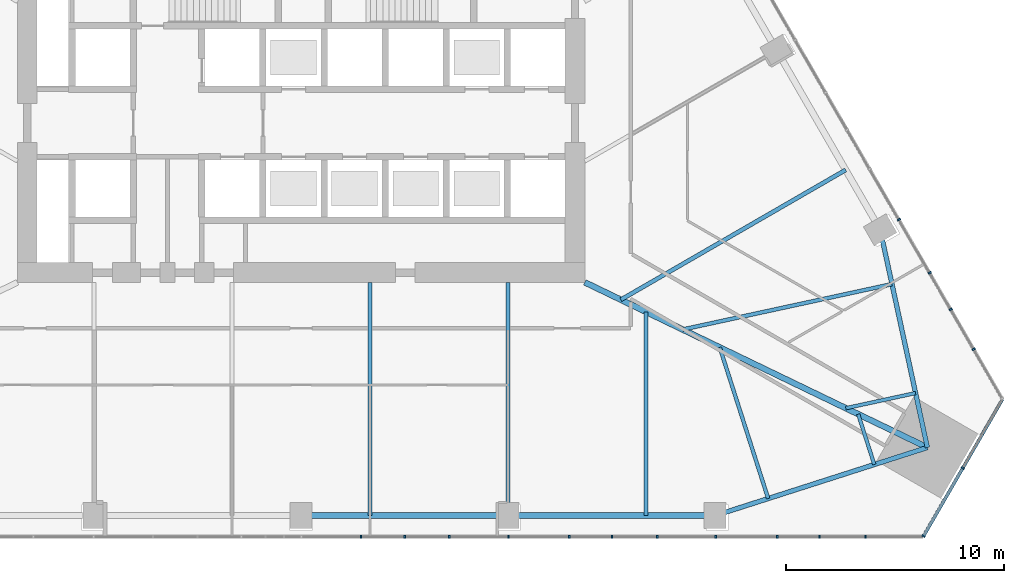
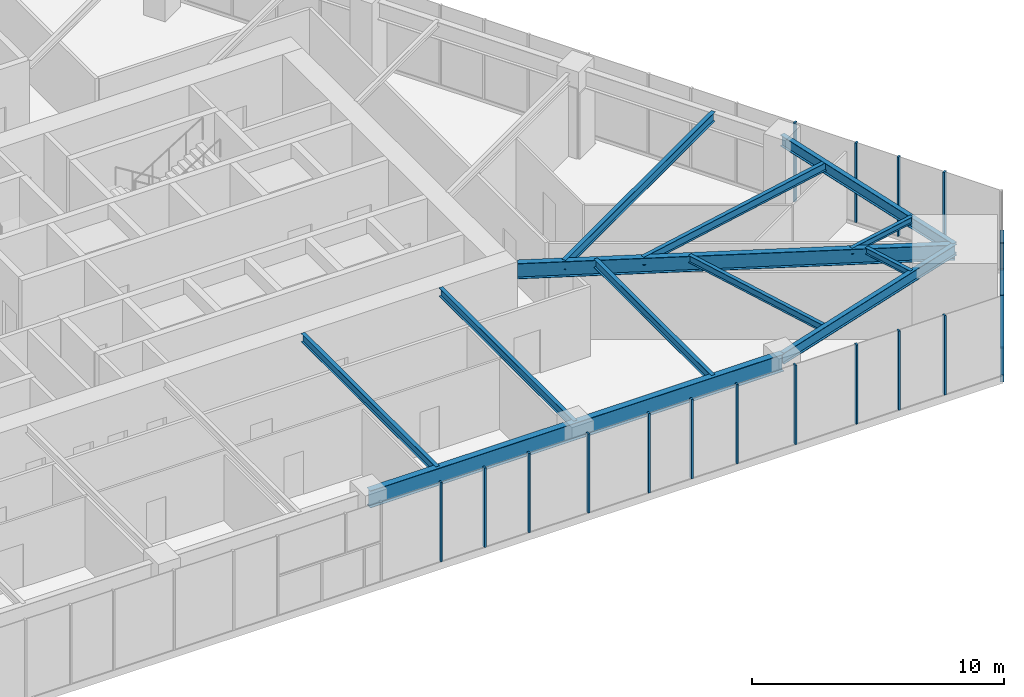
# One storey, part 7 of 21: 22 members, 12 beams, 3 elements without a shape of their own.
"""IFC4 building model written with IfcOpenShell, lengths in metres."""

from ifc_helpers import new_model, si_unit, direction, frame, origin, origin_2d, place, context, subcontext, project, spatial, rectangle, i_section, extrude, material, layer, layer_set, material_profile, profile_set, type_object, element, aggregate, save


model = new_model("IFC4")

# Units and contexts
model_context = context("Model", 3, precision=1e-05, world=origin(), true_north=direction((0.0, 1.0)))
body_context = subcontext(model_context, "Body", "Model", "MODEL_VIEW")
ifc_project = project(units=[si_unit("LENGTHUNIT", "METRE"), si_unit("AREAUNIT", "SQUARE_METRE"), si_unit("VOLUMEUNIT", "CUBIC_METRE"), si_unit("PLANEANGLEUNIT", "RADIAN"), si_unit("MASSUNIT", "GRAM", prefix="KILO")], contexts=[model_context])

# Site, building, storey
site_placement = place(None, origin())
site = spatial("IfcSite", under=ifc_project, at=site_placement, CompositionType="ELEMENT")
building_placement = place(site_placement, origin())
building = spatial("IfcBuilding", under=site, at=building_placement, Name="Firuza Gate Tower and Library", CompositionType="ELEMENT")
storey_placement = place(building_placement, frame((0.0, 0.0, 69.39990234375)))
storey = spatial("IfcBuildingStorey", under=building, at=storey_placement, Name="L15", CompositionType="ELEMENT", Elevation=69.39990234375)

# Curtain wall, members
ifc_material_1 = material(Name="Aluminium 6063-T6", Category="aluminium")
ifc_layer_1 = layer(ifc_material_1, 0.14990234375)
ifc_layer_set_1 = layer_set([ifc_layer_1], Name="Unitised curtain wall, offices")
curtain_wall_type_1 = type_object("IfcCurtainWallType", Name="Unitised curtain wall, offices", PredefinedType="NOTDEFINED", material=ifc_layer_set_1)
placement = place(storey_placement, origin())
curtain_wall_1 = element("IfcCurtainWall", 1, at=placement, inside=storey, type_object=curtain_wall_type_1, Name="CW1 L15 S face", PredefinedType="NOTDEFINED")
ifc_material_2 = material(Name="Aluminium 6063-T6", Category="aluminium")
ifc_material_profile_1 = material_profile(ifc_material_2, rectangle(XDim=0.14990234375, YDim=0.080078125, at=origin_2d()))
ifc_profile_set_1 = profile_set([ifc_material_profile_1], Name="Aluminium 6063-T6")
member_type_1 = type_object("IfcMemberType", Name="Curtain wall mullion 80x150", PredefinedType="MULLION", material=ifc_profile_set_1)
member_1_placement = place(storey_placement, frame((79.749755859375, 54.339111328125, 0.150146484375), z_axis=(0.0, 0.0, 1.0), x_axis=(0.0, 1.0, 0.0)))
member_1 = element("IfcMember", 2, at=member_1_placement, type_object=member_type_1, Name="Mullion", PredefinedType="MULLION", context=body_context, shape_type="SweptSolid", body=[
    extrude(rectangle(XDim=0.14990234375, YDim=0.080078125, at=origin_2d()), origin(), (0.0, 0.0, 1.0), 3.849853515625),
])
member_2_placement = place(storey_placement, frame((84.499755859375, 54.339111328125, 0.150146484375), z_axis=(0.0, 0.0, 1.0), x_axis=(0.0, 1.0, 0.0)))
member_2 = element("IfcMember", 3, at=member_2_placement, type_object=member_type_1, Name="Mullion", PredefinedType="MULLION", context=body_context, shape_type="SweptSolid", body=[
    extrude(rectangle(XDim=0.14990234375, YDim=0.080078125, at=origin_2d()), origin(), (0.0, 0.0, 1.0), 3.849853515625),
])
member_3_placement = place(storey_placement, frame((89.24951171875, 54.339111328125, 0.150146484375), z_axis=(0.0, 0.0, 1.0), x_axis=(0.0, 1.0, 0.0)))
member_3 = element("IfcMember", 4, at=member_3_placement, type_object=member_type_1, Name="Mullion", PredefinedType="MULLION", context=body_context, shape_type="SweptSolid", body=[
    extrude(rectangle(XDim=0.14990234375, YDim=0.080078125, at=origin_2d()), origin(), (0.0, 0.0, 1.0), 3.849853515625),
])
member_4_placement = place(storey_placement, frame((93.99951171875, 54.339111328125, 0.150146484375), z_axis=(0.0, 0.0, 1.0), x_axis=(0.0, 1.0, 0.0)))
member_4 = element("IfcMember", 5, at=member_4_placement, type_object=member_type_1, Name="Mullion", PredefinedType="MULLION", context=body_context, shape_type="SweptSolid", body=[
    extrude(rectangle(XDim=0.14990234375, YDim=0.080078125, at=origin_2d()), origin(), (0.0, 0.0, 1.0), 3.849853515625),
])
member_5_placement = place(storey_placement, frame((98.749267578125, 54.339111328125, 0.150146484375), z_axis=(0.0, 0.0, 1.0), x_axis=(0.0, 1.0, 0.0)))
member_5 = element("IfcMember", 6, at=member_5_placement, type_object=member_type_1, Name="Mullion", PredefinedType="MULLION", context=body_context, shape_type="SweptSolid", body=[
    extrude(rectangle(XDim=0.14990234375, YDim=0.080078125, at=origin_2d()), origin(), (0.0, 0.0, 1.0), 3.849853515625),
])
member_6_placement = place(storey_placement, frame((77.745849609375, 54.339111328125, 0.150146484375), z_axis=(0.0, 0.0, 1.0), x_axis=(0.0, 1.0, 0.0)))
member_6 = element("IfcMember", 7, at=member_6_placement, type_object=member_type_1, Name="Mullion", PredefinedType="MULLION", context=body_context, shape_type="SweptSolid", body=[
    extrude(rectangle(XDim=0.14990234375, YDim=0.080078125, at=origin_2d()), origin(), (0.0, 0.0, 1.0), 3.849853515625),
])
member_7_placement = place(storey_placement, frame((81.78857421875, 54.339111328125, 0.150146484375), z_axis=(0.0, 0.0, 1.0), x_axis=(0.0, 1.0, 0.0)))
member_7 = element("IfcMember", 8, at=member_7_placement, type_object=member_type_1, Name="Mullion", PredefinedType="MULLION", context=body_context, shape_type="SweptSolid", body=[
    extrude(rectangle(XDim=0.14990234375, YDim=0.080078125, at=origin_2d()), origin(), (0.0, 0.0, 1.0), 3.849853515625),
])
member_8_placement = place(storey_placement, frame((87.2802734375, 54.339111328125, 0.150146484375), z_axis=(0.0, 0.0, 1.0), x_axis=(0.0, 1.0, 0.0)))
member_8 = element("IfcMember", 9, at=member_8_placement, type_object=member_type_1, Name="Mullion", PredefinedType="MULLION", context=body_context, shape_type="SweptSolid", body=[
    extrude(rectangle(XDim=0.14990234375, YDim=0.080078125, at=origin_2d()), origin(), (0.0, 0.0, 1.0), 3.849853515625),
])
member_9_placement = place(storey_placement, frame((91.322998046875, 54.339111328125, 0.150146484375), z_axis=(0.0, 0.0, 1.0), x_axis=(0.0, 1.0, 0.0)))
member_9 = element("IfcMember", 10, at=member_9_placement, type_object=member_type_1, Name="Mullion", PredefinedType="MULLION", context=body_context, shape_type="SweptSolid", body=[
    extrude(rectangle(XDim=0.14990234375, YDim=0.080078125, at=origin_2d()), origin(), (0.0, 0.0, 1.0), 3.849853515625),
])
member_10_placement = place(storey_placement, frame((96.81494140625, 54.339111328125, 0.150146484375), z_axis=(0.0, 0.0, 1.0), x_axis=(0.0, 1.0, 0.0)))
member_10 = element("IfcMember", 11, at=member_10_placement, type_object=member_type_1, Name="Mullion", PredefinedType="MULLION", context=body_context, shape_type="SweptSolid", body=[
    extrude(rectangle(XDim=0.14990234375, YDim=0.080078125, at=origin_2d()), origin(), (0.0, 0.0, 1.0), 3.849853515625),
])
member_11_placement = place(storey_placement, frame((100.857421875, 54.339111328125, 0.150146484375), z_axis=(0.0, 0.0, 1.0), x_axis=(0.0, 1.0, 0.0)))
member_11 = element("IfcMember", 12, at=member_11_placement, type_object=member_type_1, Name="Mullion", PredefinedType="MULLION", context=body_context, shape_type="SweptSolid", body=[
    extrude(rectangle(XDim=0.14990234375, YDim=0.080078125, at=origin_2d()), origin(), (0.0, 0.0, 1.0), 3.849853515625),
])
aggregate(curtain_wall_1, [member_1, member_2, member_3, member_4, member_5, member_6, member_7, member_8, member_9, member_10, member_11])

ifc_material_3 = material(Name="Aluminium 6063-T6", Category="aluminium")
ifc_layer_2 = layer(ifc_material_3, 0.14990234375)
ifc_layer_set_2 = layer_set([ifc_layer_2], Name="Corner curtain wall, chamfers")
curtain_wall_type_2 = type_object("IfcCurtainWallType", Name="Corner curtain wall, chamfers", PredefinedType="NOTDEFINED", material=ifc_layer_set_2)
curtain_wall_2 = element("IfcCurtainWall", 13, at=placement, inside=storey, type_object=curtain_wall_type_2, Name="CW4 L15 SE corner", PredefinedType="NOTDEFINED")
member_12_placement = place(storey_placement, frame((103.519287109375, 54.373779296875, 0.150146484375), z_axis=(0.0, 0.0, 1.0), x_axis=(-0.866025403784, 0.5, 0.0)))
member_12 = element("IfcMember", 14, at=member_12_placement, type_object=member_type_1, Name="Mullion", PredefinedType="MULLION", context=body_context, shape_type="SweptSolid", body=[
    extrude(rectangle(XDim=0.14990234375, YDim=0.080078125, at=origin_2d()), origin(), (0.0, 0.0, 1.0), 3.849853515625),
])
member_13_placement = place(storey_placement, frame((105.32080078125, 57.494140625, 0.150146484375), z_axis=(0.0, 0.0, 1.0), x_axis=(-0.866025403784, 0.5, 0.0)))
member_13 = element("IfcMember", 15, at=member_13_placement, type_object=member_type_1, Name="Mullion", PredefinedType="MULLION", context=body_context, shape_type="SweptSolid", body=[
    extrude(rectangle(XDim=0.14990234375, YDim=0.080078125, at=origin_2d()), origin(), (0.0, 0.0, 1.0), 3.849853515625),
])

curtain_wall_3 = element("IfcCurtainWall", 16, at=placement, inside=storey, type_object=curtain_wall_type_1, Name="CW1 L15 E face", PredefinedType="NOTDEFINED")
member_14_placement = place(storey_placement, frame((104.767578125, 64.762939453125, 0.150146484375), z_axis=(0.0, 0.0, 1.0), x_axis=(-0.866025403784, -0.5, 0.0)))
member_14 = element("IfcMember", 17, at=member_14_placement, type_object=member_type_1, Name="Mullion", PredefinedType="MULLION", context=body_context, shape_type="SweptSolid", body=[
    extrude(rectangle(XDim=0.14990234375, YDim=0.080078125, at=origin_2d()), origin(), (0.0, 0.0, 1.0), 3.849853515625),
])
member_15_placement = place(storey_placement, frame((102.392578125, 68.87646484375, 0.150146484375), z_axis=(0.0, 0.0, 1.0), x_axis=(-0.866025403784, -0.5, 0.0)))
member_15 = element("IfcMember", 18, at=member_15_placement, type_object=member_type_1, Name="Mullion", PredefinedType="MULLION", context=body_context, shape_type="SweptSolid", body=[
    extrude(rectangle(XDim=0.14990234375, YDim=0.080078125, at=origin_2d()), origin(), (0.0, 0.0, 1.0), 3.849853515625),
])
member_16_placement = place(storey_placement, frame((105.821533203125, 62.937255859375, 0.150146484375), z_axis=(0.0, 0.0, 1.0), x_axis=(-0.866025403784, -0.5, 0.0)))
member_16 = element("IfcMember", 19, at=member_16_placement, type_object=member_type_1, Name="Mullion", PredefinedType="MULLION", context=body_context, shape_type="SweptSolid", body=[
    extrude(rectangle(XDim=0.14990234375, YDim=0.080078125, at=origin_2d()), origin(), (0.0, 0.0, 1.0), 3.849853515625),
])
member_17_placement = place(storey_placement, frame((103.80029296875, 66.438232421875, 0.150146484375), z_axis=(0.0, 0.0, 1.0), x_axis=(-0.866025403784, -0.5, 0.0)))
member_17 = element("IfcMember", 20, at=member_17_placement, type_object=member_type_1, Name="Mullion", PredefinedType="MULLION", context=body_context, shape_type="SweptSolid", body=[
    extrude(rectangle(XDim=0.14990234375, YDim=0.080078125, at=origin_2d()), origin(), (0.0, 0.0, 1.0), 3.849853515625),
])
aggregate(curtain_wall_3, [member_14, member_15, member_16, member_17])

# Member
ifc_material_4 = material(Name="Aluminium 6063-T6", Category="aluminium")
ifc_material_profile_2 = material_profile(ifc_material_4, rectangle(XDim=0.14990234375, YDim=0.35009765625, at=origin_2d()))
ifc_profile_set_2 = profile_set([ifc_material_profile_2], Name="Aluminium 6063-T6")
member_type_2 = type_object("IfcMemberType", Name="Curtain wall transom 350x150", PredefinedType="USERDEFINED", material=ifc_profile_set_2)
member_18_placement = place(storey_placement, frame((103.499267578125, 54.339111328125, -0.02490234375), z_axis=(0.499971966783, 0.866041588165, 0.0), x_axis=(-0.866041588165, 0.499971966783, 0.0)))
member_18 = element("IfcMember", 21, at=member_18_placement, type_object=member_type_2, Name="Transom", ObjectType="TRANSOM", PredefinedType="USERDEFINED", context=body_context, shape_type="SweptSolid", body=[
    extrude(rectangle(XDim=0.14990234375, YDim=0.35009765625, at=origin_2d()), origin(), (0.0, 0.0, 1.0), 1.86328125),
])

member_19_placement = place(storey_placement, frame((106.210693359375, 59.03564453125, -0.02490234375), z_axis=(0.500070225731, 0.865984855143, 0.0), x_axis=(-0.865984855143, 0.500070225731, 0.0)))
member_19 = element("IfcMember", 22, at=member_19_placement, type_object=member_type_2, Name="Transom", ObjectType="TRANSOM", PredefinedType="USERDEFINED", context=body_context, shape_type="SweptSolid", body=[
    extrude(rectangle(XDim=0.14990234375, YDim=0.35009765625, at=origin_2d()), origin(), (0.0, 0.0, 1.0), 1.863525390625),
])

ifc_material_5 = material(Name="Aluminium 6063-T6", Category="aluminium")
ifc_material_profile_3 = material_profile(ifc_material_5, rectangle(XDim=0.14990234375, YDim=0.080078125, at=origin_2d()))
ifc_profile_set_3 = profile_set([ifc_material_profile_3], Name="Aluminium 6063-T6")
member_type_3 = type_object("IfcMemberType", Name="Curtain wall transom 80x150", PredefinedType="USERDEFINED", material=ifc_profile_set_3)
member_20_placement = place(storey_placement, frame((103.519287109375, 54.373779296875, 1.4501953125), z_axis=(0.49996364809, 0.866046390552, 0.0), x_axis=(-0.866046390552, 0.49996364809, 0.0)))
member_20 = element("IfcMember", 23, at=member_20_placement, type_object=member_type_3, Name="Transom", ObjectType="TRANSOM", PredefinedType="USERDEFINED", context=body_context, shape_type="SweptSolid", body=[
    extrude(rectangle(XDim=0.14990234375, YDim=0.080078125, at=origin_2d()), origin(), (0.0, 0.0, 1.0), 3.563232421875),
])

member_21_placement = place(storey_placement, frame((103.519287109375, 54.373779296875, 2.72509765625), z_axis=(0.49996364809, 0.866046390552, 0.0), x_axis=(-0.866046390552, 0.49996364809, 0.0)))
member_21 = element("IfcMember", 24, at=member_21_placement, type_object=member_type_3, Name="Transom", ObjectType="TRANSOM", PredefinedType="USERDEFINED", context=body_context, shape_type="SweptSolid", body=[
    extrude(rectangle(XDim=0.14990234375, YDim=0.080078125, at=origin_2d()), origin(), (0.0, 0.0, 1.0), 3.563232421875),
])

member_22_placement = place(storey_placement, frame((105.3408203125, 57.52880859375, 2.0751953125), z_axis=(0.500015035186, 0.866016723041, 0.0), x_axis=(-0.866016723041, 0.500015035186, 0.0)))
member_22 = element("IfcMember", 25, at=member_22_placement, type_object=member_type_3, Name="Transom", ObjectType="TRANSOM", PredefinedType="USERDEFINED", context=body_context, shape_type="SweptSolid", body=[
    extrude(rectangle(XDim=0.14990234375, YDim=0.080078125, at=origin_2d()), origin(), (0.0, 0.0, 1.0), 3.5634765625),
])

aggregate(curtain_wall_2, [member_12, member_13, member_18, member_19, member_20, member_21, member_22])

# Beams
ifc_material_6 = material(Name="Steel S355", Category="steel")
ifc_material_profile_4 = material_profile(ifc_material_6, i_section(OverallWidth=0.1650390625, OverallDepth=0.31005859375, WebThickness=0.005859375, FlangeThickness=0.009765625, at=origin_2d()))
ifc_profile_set_4 = profile_set([ifc_material_profile_4], Name="Steel S355")
beam_type_1 = type_object("IfcBeamType", Name="W310x39 Floor beam", PredefinedType="JOIST", material=ifc_profile_set_4)
beam_1_placement = place(storey_placement, frame((101.265380859375, 57.65234375, 3.84521484375), z_axis=(-0.305239756839, 0.952275533049, 0.0), x_axis=(-0.952275533049, -0.305239756839, 0.0)))
element("IfcBeam", 26, at=beam_1_placement, inside=storey, type_object=beam_type_1, Name="Floor beam L15 s31", PredefinedType="JOIST", context=body_context, shape_type="SweptSolid", body=[
    extrude(i_section(OverallWidth=0.1650390625, OverallDepth=0.31005859375, WebThickness=0.005859375, FlangeThickness=0.009765625, at=origin_2d()), origin(), (0.0, 0.0, 1.0), 2.42431640625),
])
beam_2_placement = place(storey_placement, frame((103.15625, 60.92724609375, 3.84521484375), z_axis=(-0.97732159581, -0.211760474035, 0.0), x_axis=(0.211760474035, -0.97732159581, 0.0)))
element("IfcBeam", 27, at=beam_2_placement, inside=storey, type_object=beam_type_1, Name="Floor beam L15 s40", PredefinedType="JOIST", context=body_context, shape_type="SweptSolid", body=[
    extrude(i_section(OverallWidth=0.1650390625, OverallDepth=0.31005859375, WebThickness=0.005859375, FlangeThickness=0.009765625, at=origin_2d()), origin(), (0.0, 0.0, 1.0), 3.27197265625),
])
ifc_material_7 = material(Name="Steel S355", Category="steel")
ifc_material_profile_5 = material_profile(ifc_material_7, i_section(OverallWidth=0.1708984375, OverallDepth=0.35498046875, WebThickness=0.007080078125, FlangeThickness=0.01171875, at=origin_2d()))
ifc_profile_set_5 = profile_set([ifc_material_profile_5], Name="Steel S355")
beam_type_2 = type_object("IfcBeamType", Name="W360x51 Floor beam", PredefinedType="JOIST", material=ifc_profile_set_5)
beam_3_placement = place(storey_placement, frame((96.402099609375, 56.093505859375, 3.822509765625), z_axis=(-0.305239756839, 0.952275533049, 0.0), x_axis=(-0.952275533049, -0.305239756839, 0.0)))
element("IfcBeam", 28, at=beam_3_placement, inside=storey, type_object=beam_type_2, Name="Floor beam L15 s30", PredefinedType="JOIST", context=body_context, shape_type="SweptSolid", body=[
    extrude(i_section(OverallWidth=0.1708984375, OverallDepth=0.35498046875, WebThickness=0.007080078125, FlangeThickness=0.01171875, at=origin_2d()), origin(), (0.0, 0.0, 1.0), 7.27294921875),
])
ifc_material_8 = material(Name="Steel S355", Category="steel")
ifc_material_profile_6 = material_profile(ifc_material_8, i_section(OverallWidth=0.177978515625, OverallDepth=0.406982421875, WebThickness=0.0078125, FlangeThickness=0.0126953125, at=origin_2d()))
ifc_profile_set_6 = profile_set([ifc_material_profile_6], Name="Steel S355")
beam_type_3 = type_object("IfcBeamType", Name="W410x60 Floor beam", PredefinedType="JOIST", material=ifc_profile_set_6)
for number, where, z_axis, x_axis, name in (
    (29, (78.161865234375, 55.31396484375, 3.796630859375), (0.0, 1.0, 0.0), (-1.0, 0.0, 0.0), "Floor beam L15 s23"),
    (30, (84.4853515625, 55.31396484375, 3.796630859375), (0.0, 1.0, 0.0), (-1.0, 0.0, 0.0), "Floor beam L15 s24"),
):
    element("IfcBeam", number, at=place(storey_placement, frame(where, z_axis=z_axis, x_axis=x_axis)), inside=storey, type_object=beam_type_3, Name=name, PredefinedType="JOIST", context=body_context, shape_type="SweptSolid", body=[
        extrude(i_section(OverallWidth=0.177978515625, OverallDepth=0.406982421875, WebThickness=0.0078125, FlangeThickness=0.0126953125, at=origin_2d()), origin(), (0.0, 0.0, 1.0), 10.68603515625),
    ])
beam_4_placement = place(storey_placement, frame((90.808837890625, 55.31396484375, 3.796630859375), z_axis=(0.0, 1.0, 0.0), x_axis=(-1.0, 0.0, 0.0)))
element("IfcBeam", 31, at=beam_4_placement, inside=storey, type_object=beam_type_3, Name="Floor beam L15 s25", PredefinedType="JOIST", context=body_context, shape_type="SweptSolid", body=[
    extrude(i_section(OverallWidth=0.177978515625, OverallDepth=0.406982421875, WebThickness=0.0078125, FlangeThickness=0.0126953125, at=origin_2d()), origin(), (0.0, 0.0, 1.0), 9.331787109375),
])
beam_5_placement = place(storey_placement, frame((102.07470703125, 65.91845703125, 3.796630859375), z_axis=(-0.9773124156, -0.211802838306, 0.0), x_axis=(0.211802838306, -0.9773124156, 0.0)))
element("IfcBeam", 32, at=beam_5_placement, inside=storey, type_object=beam_type_3, Name="Floor beam L15 s41", PredefinedType="JOIST", context=body_context, shape_type="SweptSolid", body=[
    extrude(i_section(OverallWidth=0.177978515625, OverallDepth=0.406982421875, WebThickness=0.0078125, FlangeThickness=0.0126953125, at=origin_2d()), origin(), (0.0, 0.0, 1.0), 9.816162109375),
])
ifc_material_9 = material(Name="Steel S355", Category="steel")
ifc_material_profile_7 = material_profile(ifc_material_9, i_section(OverallWidth=0.18994140625, OverallDepth=0.45703125, WebThickness=0.009033203125, FlangeThickness=0.014404296875, at=origin_2d()))
ifc_profile_set_7 = profile_set([ifc_material_profile_7], Name="Steel S355")
beam_type_4 = type_object("IfcBeamType", Name="W460x74 Floor beam", PredefinedType="JOIST", material=ifc_profile_set_7)
beam_6_placement = place(storey_placement, frame((99.952880859375, 71.152099609375, 3.771484375), z_axis=(-0.866025640697, -0.499999589656, 0.0), x_axis=(0.499999589656, -0.866025640697, 0.0)))
element("IfcBeam", 33, at=beam_6_placement, inside=storey, type_object=beam_type_4, Name="Floor beam L15 s50", PredefinedType="JOIST", context=body_context, shape_type="SweptSolid", body=[
    extrude(i_section(OverallWidth=0.18994140625, OverallDepth=0.45703125, WebThickness=0.009033203125, FlangeThickness=0.014404296875, at=origin_2d()), origin(), (0.0, 0.0, 1.0), 11.89599609375),
])
ifc_material_10 = material(Name="Steel S355", Category="steel")
ifc_material_profile_8 = material_profile(ifc_material_10, i_section(OverallWidth=0.212890625, OverallDepth=0.5390625, WebThickness=0.01171875, FlangeThickness=0.018798828125, at=origin_2d()))
ifc_profile_set_8 = profile_set([ifc_material_profile_8], Name="Steel S355")
beam_type_5 = type_object("IfcBeamType", Name="W530x109 Edge beam", PredefinedType="SPANDREL", material=ifc_profile_set_8)
beam_7_placement = place(storey_placement, frame((93.970703125, 55.31396484375, 3.730712890625), z_axis=(0.952274716719, 0.305242303584, 0.0), x_axis=(-0.305242303584, 0.952274716719, 0.0)))
element("IfcBeam", 34, at=beam_7_placement, inside=storey, type_object=beam_type_5, Name="Edge beam L15 e30", PredefinedType="SPANDREL", context=body_context, shape_type="SweptSolid", body=[
    extrude(i_section(OverallWidth=0.212890625, OverallDepth=0.5390625, WebThickness=0.01171875, FlangeThickness=0.018798828125, at=origin_2d()), origin(), (0.0, 0.0, 1.0), 10.2138671875),
])
beam_8_placement = place(storey_placement, frame((103.697021484375, 58.431640625, 3.730712890625), z_axis=(-0.211774655481, 0.977318522947, 0.0), x_axis=(-0.977318522947, -0.211774655481, 0.0)))
element("IfcBeam", 35, at=beam_8_placement, inside=storey, type_object=beam_type_5, Name="Edge beam L15 e40", PredefinedType="SPANDREL", context=body_context, shape_type="SweptSolid", body=[
    extrude(i_section(OverallWidth=0.212890625, OverallDepth=0.5390625, WebThickness=0.01171875, FlangeThickness=0.018798828125, at=origin_2d()), origin(), (0.0, 0.0, 1.0), 10.214111328125),
])
ifc_material_11 = material(Name="Steel S355", Category="steel")
ifc_material_profile_9 = material_profile(ifc_material_11, i_section(OverallWidth=0.264892578125, OverallDepth=0.7529296875, WebThickness=0.01318359375, FlangeThickness=0.01708984375, at=origin_2d()))
ifc_profile_set_9 = profile_set([ifc_material_profile_9], Name="Steel S355")
beam_type_6 = type_object("IfcBeamType", Name="W760x147 Girder", PredefinedType="BEAM", material=ifc_profile_set_9)
beam_9_placement = place(storey_placement, frame((103.697021484375, 58.431640625, 3.62353515625), z_axis=(-0.900765255898, 0.434306290269, 0.0), x_axis=(-0.434306290269, -0.900765255898, 0.0)))
element("IfcBeam", 36, at=beam_9_placement, inside=storey, type_object=beam_type_6, Name="Girder L15 gSE", PredefinedType="BEAM", context=body_context, shape_type="SweptSolid", body=[
    extrude(i_section(OverallWidth=0.264892578125, OverallDepth=0.7529296875, WebThickness=0.01318359375, FlangeThickness=0.01708984375, at=origin_2d()), origin(), (0.0, 0.0, 1.0), 17.42626953125),
])
ifc_material_12 = material(Name="Steel S355", Category="steel")
ifc_material_profile_10 = material_profile(ifc_material_12, i_section(OverallWidth=0.2919921875, OverallDepth=0.8349609375, WebThickness=0.013916015625, FlangeThickness=0.018798828125, at=origin_2d()))
ifc_profile_set_10 = profile_set([ifc_material_profile_10], Name="Steel S355")
beam_type_7 = type_object("IfcBeamType", Name="W840x176 Edge beam", PredefinedType="SPANDREL", material=ifc_profile_set_10)
beam_10_placement = place(storey_placement, frame((75.0, 55.31396484375, 3.58251953125), z_axis=(1.0, 0.0, 0.0), x_axis=(0.0, 1.0, 0.0)))
element("IfcBeam", 37, at=beam_10_placement, inside=storey, type_object=beam_type_7, Name="Edge beam L15 e22", PredefinedType="SPANDREL", context=body_context, shape_type="SweptSolid", body=[
    extrude(i_section(OverallWidth=0.2919921875, OverallDepth=0.8349609375, WebThickness=0.013916015625, FlangeThickness=0.018798828125, at=origin_2d()), origin(), (0.0, 0.0, 1.0), 18.970703125),
])

save(model, "model.ifc")
